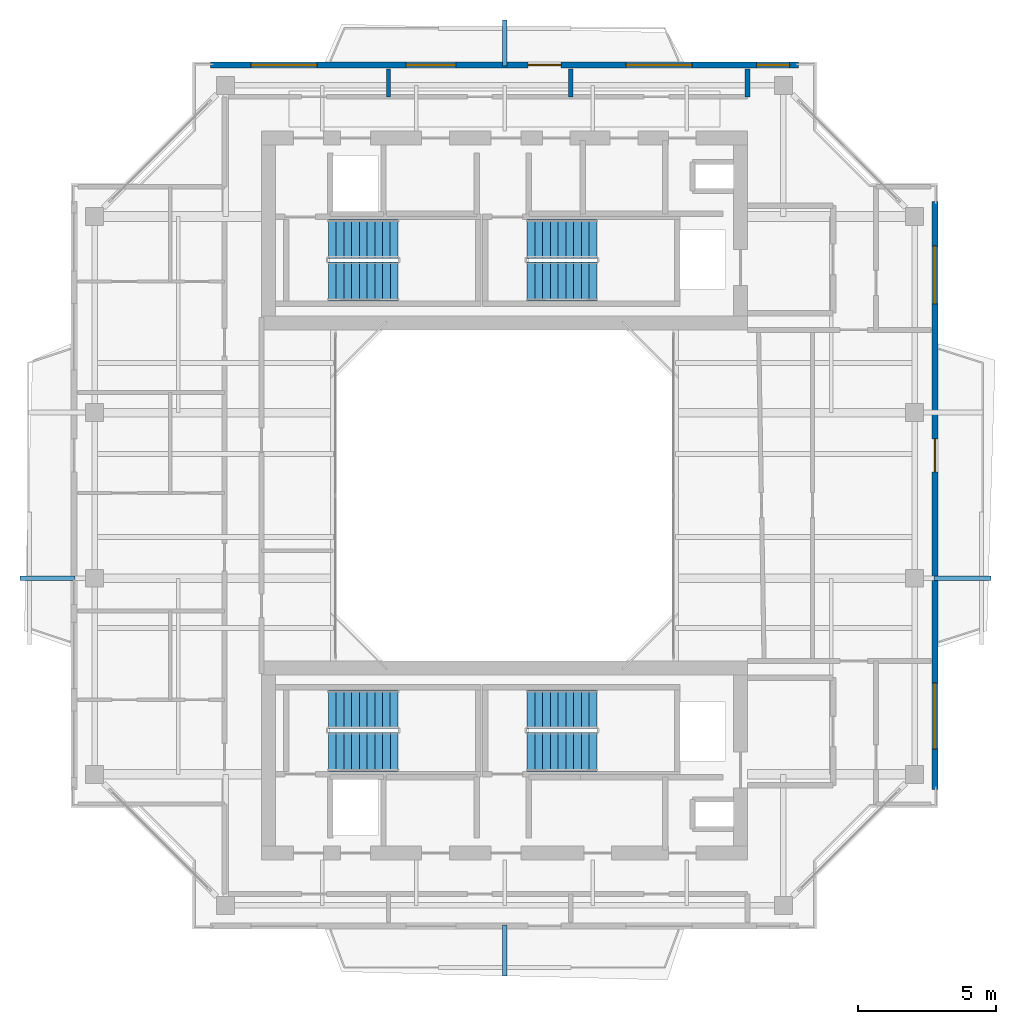
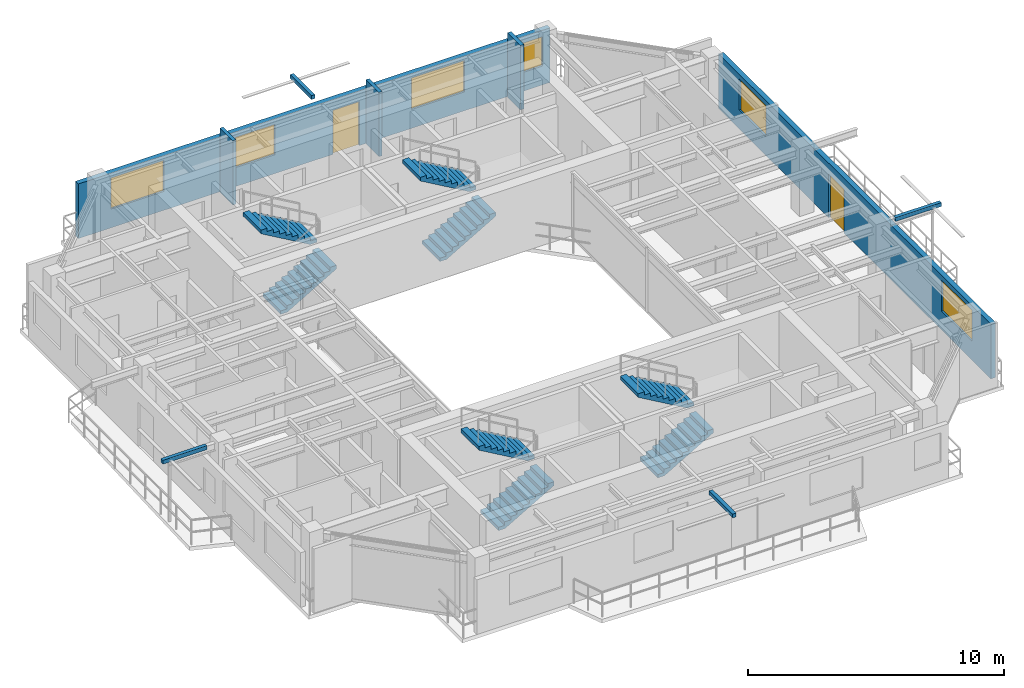
# One storey, part 12 of 15: 8 stair flights, 6 windows, 5 walls, 4 discrete accessories, 2 doors, 8 openings, 4 elements without a shape of their own.
"""IFC4 building model written with IfcOpenShell, lengths in metres."""

from ifc_helpers import new_model, si_unit, direction, frame, frame_2d, origin, origin_2d, place, context, subcontext, project, spatial, polyline, rectangle, outline, extrude, source, transform, mapped, material, layer, layer_set, type_object, element, fill, aggregate, save


model = new_model("IFC4")

# Units and contexts
model_context = context("Model", 3, precision=1e-05, world=origin(), true_north=direction((0.0, 1.0)))
body_context = subcontext(model_context, "Body", "Model", "MODEL_VIEW")
ifc_project = project(units=[si_unit("LENGTHUNIT", "METRE"), si_unit("AREAUNIT", "SQUARE_METRE"), si_unit("VOLUMEUNIT", "CUBIC_METRE"), si_unit("PLANEANGLEUNIT", "RADIAN"), si_unit("MASSUNIT", "GRAM", prefix="KILO"), si_unit("THERMODYNAMICTEMPERATUREUNIT", "KELVIN"), si_unit("POWERUNIT", "WATT")], contexts=[model_context])

# Site, building, storey
site_placement = place(None, origin())
site = spatial("IfcSite", under=ifc_project, at=site_placement, CompositionType="ELEMENT")
building_placement = place(site_placement, origin())
building = spatial("IfcBuilding", under=site, at=building_placement, Name="Qiaomeng Ring Towers", CompositionType="ELEMENT")
storey_placement = place(building_placement, frame((0.0, 0.0, 256.75)))
storey = spatial("IfcBuildingStorey", under=building, at=storey_placement, Name="L75", CompositionType="ELEMENT", Elevation=256.75)

# Wall, openings, windows, door
ifc_material_1 = material(Name="Precast concrete C40", Category="concrete")
ifc_layer_1 = layer(ifc_material_1, 0.219970703125, Name="Precast concrete C40")
ifc_layer_set_1 = layer_set([ifc_layer_1], Name="Precast concrete C40")
wall_type_1 = type_object("IfcWallType", Name="ARC-WL-EW2", PredefinedType="STANDARD", material=ifc_layer_set_1)
wall_1_placement = place(storey_placement, frame((8.35009765625, 38.590087890625, 0.0), z_axis=(0.0, 0.0, 1.0), x_axis=(1.0, 0.0, 0.0)))
wall_1 = element("IfcWall", 1, at=wall_1_placement, inside=storey, type_object=wall_type_1, Name="L75 Tower 1 N Exterior Wall", PredefinedType="STANDARD", context=body_context, shape_type="SweptSolid", body=[
    extrude(rectangle(XDim=21.2998046875, YDim=0.219970703125, at=frame_2d((10.64990234375, 0.0))), origin(), (0.0, 0.0, 1.0), 2.610107421875),
])
opening_1_placement = place(wall_1_placement, frame((11.5, 0.0, 0.0)))
opening_1 = element("IfcOpeningElement", 2, at=opening_1_placement, cuts=wall_1, Name="Opening BD1", PredefinedType="OPENING", context=body_context, shape_type="SweptSolid", body=[
    extrude(rectangle(XDim=1.199951171875, YDim=2.10009765625, at=frame_2d((0.60009765625, 1.050048828125))), frame((0.0, 0.119873046875, 0.0), z_axis=(0.0, -1.0, 0.0), x_axis=(1.0, 0.0, 0.0)), (0.0, 0.0, 1.0), 0.239990234375),
])
opening_2_placement = place(wall_1_placement, frame((1.462890625, 0.0, 0.89990234375)))
opening_2 = element("IfcOpeningElement", 3, at=opening_2_placement, cuts=wall_1, Name="Opening WN6", PredefinedType="OPENING", context=body_context, shape_type="SweptSolid", body=[
    extrude(rectangle(XDim=2.39990234375, YDim=1.47998046875, at=frame_2d((1.199951171875, 0.739990234375))), frame((0.0, 0.119873046875, 0.0), z_axis=(0.0, -1.0, 0.0), x_axis=(1.0, 0.0, 0.0)), (0.0, 0.0, 1.0), 0.239990234375),
])
opening_3_placement = place(wall_1_placement, frame((7.087890625, 0.0, 0.89990234375)))
opening_3 = element("IfcOpeningElement", 4, at=opening_3_placement, cuts=wall_1, Name="Opening WN1", PredefinedType="OPENING", context=body_context, shape_type="SweptSolid", body=[
    extrude(rectangle(XDim=1.800048828125, YDim=1.449951171875, at=frame_2d((0.89990234375, 0.72509765625))), frame((0.0, 0.119873046875, 0.0), z_axis=(0.0, -1.0, 0.0), x_axis=(1.0, 0.0, 0.0)), (0.0, 0.0, 1.0), 0.239990234375),
])
opening_4_placement = place(wall_1_placement, frame((19.77490234375, 0.0, 0.89990234375)))
opening_4 = element("IfcOpeningElement", 5, at=opening_4_placement, cuts=wall_1, Name="Opening WN3", PredefinedType="OPENING", context=body_context, shape_type="SweptSolid", body=[
    extrude(rectangle(XDim=1.199951171875, YDim=1.39990234375, at=frame_2d((0.60009765625, 0.699951171875))), frame((0.0, 0.119873046875, 0.0), z_axis=(0.0, -1.0, 0.0), x_axis=(1.0, 0.0, 0.0)), (0.0, 0.0, 1.0), 0.239990234375),
])
opening_5_placement = place(wall_1_placement, frame((15.04248046875, 0.0, 0.89990234375)))
opening_5 = element("IfcOpeningElement", 6, at=opening_5_placement, cuts=wall_1, Name="Opening WN6", PredefinedType="OPENING", context=body_context, shape_type="SweptSolid", body=[
    extrude(rectangle(XDim=2.39990234375, YDim=1.5, at=frame_2d((1.199951171875, 0.75))), frame((0.0, 0.119873046875, 0.0), z_axis=(0.0, -1.0, 0.0), x_axis=(1.0, 0.0, 0.0)), (0.0, 0.0, 1.0), 0.239990234375),
])
ifc_material_2 = material(Name="Low-E dark-grey laminated double glazing", Category="glass")
window_type_1 = type_object("IfcWindowType", Name="ARC-WN-1", PartitioningType="DOUBLE_PANEL_VERTICAL", PredefinedType="WINDOW", material=ifc_material_2)
shared_shape_1 = source(origin(), body_context, "Body", "SweptSolid", [
    extrude(rectangle(XDim=1.800048828125, YDim=1.449951171875, at=frame_2d((0.89990234375, 0.72509765625))), frame((0.0, 0.030029296875, 0.0), z_axis=(0.0, -1.0, 0.0), x_axis=(1.0, 0.0, 0.0)), (0.0, 0.0, 1.0), 0.06005859375),
])
window_1_placement = place(opening_3_placement, origin())
window_1 = element("IfcWindow", 7, at=window_1_placement, inside=storey, type_object=window_type_1, Name="L75 Exterior Window WN1", OverallHeight=1.449951171875, OverallWidth=1.800048828125, PartitioningType="DOUBLE_PANEL_VERTICAL", PredefinedType="WINDOW", context=body_context, shape_type="MappedRepresentation", body=[
    mapped(shared_shape_1, transform((0.0, 0.0, 0.0), x_axis=(1.0, 0.0, 0.0), y_axis=(0.0, 1.0, 0.0), z_axis=(0.0, 0.0, 1.0), scale=1.0)),
])
fill(opening_3, window_1)
window_type_2 = type_object("IfcWindowType", Name="ARC-WN-6", PartitioningType="TRIPLE_PANEL_VERTICAL", PredefinedType="WINDOW", material=ifc_material_2)
shared_shape_2 = source(origin(), body_context, "Body", "SweptSolid", [
    extrude(rectangle(XDim=2.39990234375, YDim=1.47998046875, at=frame_2d((1.199951171875, 0.739990234375))), frame((0.0, 0.030029296875, 0.0), z_axis=(0.0, -1.0, 0.0), x_axis=(1.0, 0.0, 0.0)), (0.0, 0.0, 1.0), 0.06005859375),
])
window_2_placement = place(opening_2_placement, origin())
window_2 = element("IfcWindow", 8, at=window_2_placement, inside=storey, type_object=window_type_2, Name="L75 Exterior Window WN6", OverallHeight=1.47998046875, OverallWidth=2.39990234375, PartitioningType="TRIPLE_PANEL_VERTICAL", PredefinedType="WINDOW", context=body_context, shape_type="MappedRepresentation", body=[
    mapped(shared_shape_2, transform((0.0, 0.0, 0.0), x_axis=(1.0, 0.0, 0.0), y_axis=(0.0, 1.0, 0.0), z_axis=(0.0, 0.0, 1.0), scale=1.0)),
])
fill(opening_2, window_2)
door_type = type_object("IfcDoorType", Name="ARC-DR-BD1", OperationType="NOTDEFINED", PredefinedType="DOOR", material=ifc_material_2)
shared_shape_3 = source(origin(), body_context, "Body", "SweptSolid", [
    extrude(rectangle(XDim=1.199951171875, YDim=2.10009765625, at=frame_2d((0.60009765625, 1.050048828125))), frame((0.0, 0.02490234375, 0.0), z_axis=(0.0, -1.0, 0.0), x_axis=(1.0, 0.0, 0.0)), (0.0, 0.0, 1.0), 0.050048828125),
])
door_1_placement = place(opening_1_placement, origin())
door_1 = element("IfcDoor", 9, at=door_1_placement, inside=storey, type_object=door_type, Name="L75 N Balcony Glazed Door", OperationType="SINGLE_SWING_LEFT", OverallHeight=2.10009765625, OverallWidth=1.199951171875, PredefinedType="DOOR", context=body_context, shape_type="MappedRepresentation", body=[
    mapped(shared_shape_3, transform((0.0, 0.0, 0.0), x_axis=(1.0, 0.0, 0.0), y_axis=(0.0, 1.0, 0.0), z_axis=(0.0, 0.0, 1.0), scale=1.0)),
])
fill(opening_1, door_1)
shared_shape_4 = source(origin(), body_context, "Body", "SweptSolid", [
    extrude(rectangle(XDim=2.39990234375, YDim=1.5, at=frame_2d((1.199951171875, 0.75))), frame((0.0, 0.030029296875, 0.0), z_axis=(0.0, -1.0, 0.0), x_axis=(1.0, 0.0, 0.0)), (0.0, 0.0, 1.0), 0.06005859375),
])
window_3_placement = place(opening_5_placement, origin())
window_3 = element("IfcWindow", 10, at=window_3_placement, inside=storey, type_object=window_type_2, Name="L75 Exterior Window WN6", OverallHeight=1.5, OverallWidth=2.39990234375, PartitioningType="TRIPLE_PANEL_VERTICAL", PredefinedType="WINDOW", context=body_context, shape_type="MappedRepresentation", body=[
    mapped(shared_shape_4, transform((0.0, 0.0, 0.0), x_axis=(1.0, 0.0, 0.0), y_axis=(0.0, 1.0, 0.0), z_axis=(0.0, 0.0, 1.0), scale=1.0)),
])
fill(opening_5, window_3)
window_type_3 = type_object("IfcWindowType", Name="ARC-WN-3", PartitioningType="SINGLE_PANEL", PredefinedType="WINDOW", material=ifc_material_2)
shared_shape_5 = source(origin(), body_context, "Body", "SweptSolid", [
    extrude(rectangle(XDim=1.199951171875, YDim=1.39990234375, at=frame_2d((0.60009765625, 0.699951171875))), frame((0.0, 0.030029296875, 0.0), z_axis=(0.0, -1.0, 0.0), x_axis=(1.0, 0.0, 0.0)), (0.0, 0.0, 1.0), 0.06005859375),
])
window_4_placement = place(opening_4_placement, origin())
window_4 = element("IfcWindow", 11, at=window_4_placement, inside=storey, type_object=window_type_3, Name="L75 Exterior Window WN4", OverallHeight=1.39990234375, OverallWidth=1.199951171875, PartitioningType="TRIPLE_PANEL_VERTICAL", PredefinedType="WINDOW", context=body_context, shape_type="MappedRepresentation", body=[
    mapped(shared_shape_5, transform((0.0, 0.0, 0.0), x_axis=(1.0, 0.0, 0.0), y_axis=(0.0, 1.0, 0.0), z_axis=(0.0, 0.0, 1.0), scale=1.0)),
])
fill(opening_4, window_4)

wall_2_placement = place(storey_placement, frame((34.590087890625, 12.35009765625, 0.0), z_axis=(0.0, 0.0, 1.0), x_axis=(0.0, 1.0, 0.0)))
wall_2 = element("IfcWall", 12, at=wall_2_placement, inside=storey, type_object=wall_type_1, Name="L75 Tower 1 E Exterior Wall", PredefinedType="STANDARD", context=body_context, shape_type="SweptSolid", body=[
    extrude(rectangle(XDim=21.2998046875, YDim=0.219970703125, at=frame_2d((10.64990234375, 0.0))), origin(), (0.0, 0.0, 1.0), 2.610107421875),
])
opening_6_placement = place(wall_2_placement, frame((11.5, 0.0, 0.0)))
opening_6 = element("IfcOpeningElement", 13, at=opening_6_placement, cuts=wall_2, Name="Opening BD1", PredefinedType="OPENING", context=body_context, shape_type="SweptSolid", body=[
    extrude(rectangle(XDim=1.199951171875, YDim=2.10009765625, at=frame_2d((0.60009765625, 1.050048828125))), frame((0.0, 0.119873046875, 0.0), z_axis=(0.0, -1.0, 0.0), x_axis=(1.0, 0.0, 0.0)), (0.0, 0.0, 1.0), 0.239990234375),
])
opening_7_placement = place(wall_2_placement, frame((1.462890625, 0.0, 0.89990234375)))
opening_7 = element("IfcOpeningElement", 14, at=opening_7_placement, cuts=wall_2, Name="Opening WN6", PredefinedType="OPENING", context=body_context, shape_type="SweptSolid", body=[
    extrude(rectangle(XDim=2.39990234375, YDim=1.47998046875, at=frame_2d((1.199951171875, 0.739990234375))), frame((0.0, 0.119873046875, 0.0), z_axis=(0.0, -1.0, 0.0), x_axis=(1.0, 0.0, 0.0)), (0.0, 0.0, 1.0), 0.239990234375),
])
opening_8_placement = place(wall_2_placement, frame((17.587890625, 0.0, 0.89990234375)))
opening_8 = element("IfcOpeningElement", 15, at=opening_8_placement, cuts=wall_2, Name="Opening WN4", PredefinedType="OPENING", context=body_context, shape_type="SweptSolid", body=[
    extrude(rectangle(XDim=2.10009765625, YDim=1.47998046875, at=frame_2d((1.050048828125, 0.739990234375))), frame((0.0, 0.119873046875, 0.0), z_axis=(0.0, -1.0, 0.0), x_axis=(1.0, 0.0, 0.0)), (0.0, 0.0, 1.0), 0.239990234375),
])
window_type_4 = type_object("IfcWindowType", Name="ARC-WN-4", PartitioningType="TRIPLE_PANEL_VERTICAL", PredefinedType="WINDOW", material=ifc_material_2)
shared_shape_6 = source(origin(), body_context, "Body", "SweptSolid", [
    extrude(rectangle(XDim=2.10009765625, YDim=1.47998046875, at=frame_2d((1.050048828125, 0.739990234375))), frame((0.0, 0.030029296875, 0.0), z_axis=(0.0, -1.0, 0.0), x_axis=(1.0, 0.0, 0.0)), (0.0, 0.0, 1.0), 0.06005859375),
])
window_5_placement = place(opening_8_placement, origin())
window_5 = element("IfcWindow", 16, at=window_5_placement, inside=storey, type_object=window_type_4, Name="L75 Exterior Window WN4", OverallHeight=1.47998046875, OverallWidth=2.10009765625, PartitioningType="TRIPLE_PANEL_VERTICAL", PredefinedType="WINDOW", context=body_context, shape_type="MappedRepresentation", body=[
    mapped(shared_shape_6, transform((0.0, 0.0, 0.0), x_axis=(1.0, 0.0, 0.0), y_axis=(0.0, 1.0, 0.0), z_axis=(0.0, 0.0, 1.0), scale=1.0)),
])
fill(opening_8, window_5)
window_6_placement = place(opening_7_placement, origin())
window_6 = element("IfcWindow", 17, at=window_6_placement, inside=storey, type_object=window_type_2, Name="L75 Exterior Window WN6", OverallHeight=1.47998046875, OverallWidth=2.39990234375, PartitioningType="TRIPLE_PANEL_VERTICAL", PredefinedType="WINDOW", context=body_context, shape_type="MappedRepresentation", body=[
    mapped(shared_shape_2, transform((0.0, 0.0, 0.0), x_axis=(1.0, 0.0, 0.0), y_axis=(0.0, 1.0, 0.0), z_axis=(0.0, 0.0, 1.0), scale=1.0)),
])
fill(opening_7, window_6)
door_2_placement = place(opening_6_placement, origin())
door_2 = element("IfcDoor", 18, at=door_2_placement, inside=storey, type_object=door_type, Name="L75 E Balcony Glazed Door", OperationType="SINGLE_SWING_LEFT", OverallHeight=2.10009765625, OverallWidth=1.199951171875, PredefinedType="DOOR", context=body_context, shape_type="MappedRepresentation", body=[
    mapped(shared_shape_3, transform((0.0, 0.0, 0.0), x_axis=(1.0, 0.0, 0.0), y_axis=(0.0, 1.0, 0.0), z_axis=(0.0, 0.0, 1.0), scale=1.0)),
])
fill(opening_6, door_2)

# Walls
ifc_material_3 = material(Name="Autoclaved aerated concrete block", Category="concrete")
ifc_layer_2 = layer(ifc_material_3, 0.179931640625, Name="Autoclaved aerated concrete block")
ifc_layer_set_2 = layer_set([ifc_layer_2], Name="Autoclaved aerated concrete block")
wall_type_2 = type_object("IfcWallType", Name="ARC-WL-PW2", PredefinedType="PARTITIONING", material=ifc_layer_set_2)
wall_3_placement = place(storey_placement, frame((27.800048828125, 37.43994140625, 0.0), z_axis=(0.0, 0.0, 1.0), x_axis=(0.0, 1.0, 0.0)))
element("IfcWall", 19, at=wall_3_placement, inside=storey, type_object=wall_type_2, Name="L75 Interior Wall PW2", PredefinedType="PARTITIONING", context=body_context, shape_type="SweptSolid", body=[
    extrude(rectangle(XDim=1.010009765625, YDim=0.179931640625, at=frame_2d((0.5048828125, 0.0))), origin(), (0.0, 0.0, 1.0), 3.070068359375),
])
ifc_material_4 = material(Name="Gypsum fireboard steel-stud partition", Category="steel")
ifc_layer_3 = layer(ifc_material_4, 0.14990234375, Name="Gypsum fireboard steel-stud partition")
ifc_layer_set_3 = layer_set([ifc_layer_3], Name="Gypsum fireboard steel-stud partition")
wall_type_3 = type_object("IfcWallType", Name="ARC-WL-PW3", PredefinedType="PARTITIONING", material=ifc_layer_set_3)
for number, where, z_axis, x_axis, name in (
    (20, (14.800048828125, 37.43994140625, 0.0), (0.0, 0.0, 1.0), (0.0, 1.0, 0.0), "L75 Interior Wall PW3"),
    (21, (21.39990234375, 37.43994140625, 0.0), (0.0, 0.0, 1.0), (0.0, 1.0, 0.0), "L75 Interior Wall PW3"),
):
    element("IfcWall", number, at=place(storey_placement, frame(where, z_axis=z_axis, x_axis=x_axis)), inside=storey, type_object=wall_type_3, Name=name, PredefinedType="PARTITIONING", context=body_context, shape_type="SweptSolid", body=[
        extrude(rectangle(XDim=1.010009765625, YDim=0.14990234375, at=frame_2d((0.5048828125, 0.0))), origin(), (0.0, 0.0, 1.0), 3.070068359375),
    ])

# Stair, stair flights
stair_type = type_object("IfcStairType", Name="ARC-ST-325", PredefinedType="HALF_TURN_STAIR", material=ifc_material_1)
stair_1_placement = place(storey_placement, origin())
stair_1 = element("IfcStair", 22, at=stair_1_placement, inside=storey, type_object=stair_type, Name="L75 Tower 1 North Stair 1", PredefinedType="HALF_TURN_STAIR")
stair_flight_type = type_object("IfcStairFlightType", Name="ARC-ST-325-FL", PredefinedType="STRAIGHT", material=ifc_material_1)
shared_shape_7 = source(origin(), body_context, "Body", "SweptSolid", [
    extrude(outline(polyline([(0.0, 0.0), (0.0, 0.16259765625), (0.280029296875, 0.16259765625), (0.280029296875, 0.324951171875), (0.56005859375, 0.324951171875), (0.56005859375, 0.487548828125), (0.840087890625, 0.487548828125), (0.840087890625, 0.64990234375), (1.1201171875, 0.64990234375), (1.1201171875, 0.8125), (1.39990234375, 0.8125), (1.39990234375, 0.97509765625), (1.679931640625, 0.97509765625), (1.679931640625, 1.137451171875), (1.9599609375, 1.137451171875), (1.9599609375, 1.300048828125), (2.239990234375, 1.300048828125), (2.239990234375, 1.46240234375), (2.52001953125, 1.46240234375), (2.52001953125, 1.625), (2.52001953125, 1.2890625), (0.298583984375, 0.0), (0.0, 0.0)])), frame((0.0, 0.699951171875, 0.0), z_axis=(0.0, -1.0, 0.0), x_axis=(1.0, 0.0, 0.0)), (0.0, 0.0, 1.0), 1.39990234375),
])
stair_flight_1_placement = place(storey_placement, frame((12.6201171875, 30.75, 0.0), z_axis=(0.0, 0.0, 1.0), x_axis=(1.0, 0.0, 0.0)))
stair_flight_1 = element("IfcStairFlight", 23, at=stair_flight_1_placement, type_object=stair_flight_type, Name="ST1 flight 1", NumberOfRisers=10, NumberOfTreads=9, PredefinedType="STRAIGHT", RiserHeight=0.1625, TreadLength=0.28, context=body_context, shape_type="MappedRepresentation", body=[
    mapped(shared_shape_7, transform((0.0, 0.0, 0.0), x_axis=(1.0, 0.0, 0.0), y_axis=(0.0, 1.0, 0.0), z_axis=(0.0, 0.0, 1.0), scale=1.0)),
])
stair_flight_2_placement = place(storey_placement, frame((15.139892578125, 32.2900390625, 1.625), z_axis=(0.0, 0.0, 1.0), x_axis=(-1.0, 0.0, 0.0)))
stair_flight_2 = element("IfcStairFlight", 24, at=stair_flight_2_placement, type_object=stair_flight_type, Name="ST1 flight 2", NumberOfRisers=10, NumberOfTreads=9, PredefinedType="STRAIGHT", RiserHeight=0.1625, TreadLength=0.28, context=body_context, shape_type="MappedRepresentation", body=[
    mapped(shared_shape_7, transform((0.0, 0.0, 0.0), x_axis=(1.0, 0.0, 0.0), y_axis=(0.0, 1.0, 0.0), z_axis=(0.0, 0.0, 1.0), scale=1.0)),
])
aggregate(stair_1, [stair_flight_1, stair_flight_2])

stair_2_placement = place(storey_placement, origin())
stair_2 = element("IfcStair", 25, at=stair_2_placement, inside=storey, type_object=stair_type, Name="L75 Tower 1 North Stair 2", PredefinedType="HALF_TURN_STAIR")
stair_flight_3_placement = place(storey_placement, frame((19.820068359375, 30.75, 0.0), z_axis=(0.0, 0.0, 1.0), x_axis=(1.0, 0.0, 0.0)))
stair_flight_3 = element("IfcStairFlight", 26, at=stair_flight_3_placement, type_object=stair_flight_type, Name="ST2 flight 1", NumberOfRisers=10, NumberOfTreads=9, PredefinedType="STRAIGHT", RiserHeight=0.1625, TreadLength=0.28, context=body_context, shape_type="MappedRepresentation", body=[
    mapped(shared_shape_7, transform((0.0, 0.0, 0.0), x_axis=(1.0, 0.0, 0.0), y_axis=(0.0, 1.0, 0.0), z_axis=(0.0, 0.0, 1.0), scale=1.0)),
])
stair_flight_4_placement = place(storey_placement, frame((22.340087890625, 32.2900390625, 1.625), z_axis=(0.0, 0.0, 1.0), x_axis=(-1.0, 0.0, 0.0)))
stair_flight_4 = element("IfcStairFlight", 27, at=stair_flight_4_placement, type_object=stair_flight_type, Name="ST2 flight 2", NumberOfRisers=10, NumberOfTreads=9, PredefinedType="STRAIGHT", RiserHeight=0.1625, TreadLength=0.28, context=body_context, shape_type="MappedRepresentation", body=[
    mapped(shared_shape_7, transform((0.0, 0.0, 0.0), x_axis=(1.0, 0.0, 0.0), y_axis=(0.0, 1.0, 0.0), z_axis=(0.0, 0.0, 1.0), scale=1.0)),
])
aggregate(stair_2, [stair_flight_3, stair_flight_4])

stair_3_placement = place(storey_placement, origin())
stair_3 = element("IfcStair", 28, at=stair_3_placement, inside=storey, type_object=stair_type, Name="L75 Tower 1 South Stair 3", PredefinedType="HALF_TURN_STAIR")
stair_flight_5_placement = place(storey_placement, frame((12.6201171875, 13.7099609375, 0.0), z_axis=(0.0, 0.0, 1.0), x_axis=(1.0, 0.0, 0.0)))
stair_flight_5 = element("IfcStairFlight", 29, at=stair_flight_5_placement, type_object=stair_flight_type, Name="ST3 flight 1", NumberOfRisers=10, NumberOfTreads=9, PredefinedType="STRAIGHT", RiserHeight=0.1625, TreadLength=0.28, context=body_context, shape_type="MappedRepresentation", body=[
    mapped(shared_shape_7, transform((0.0, 0.0, 0.0), x_axis=(1.0, 0.0, 0.0), y_axis=(0.0, 1.0, 0.0), z_axis=(0.0, 0.0, 1.0), scale=1.0)),
])
stair_flight_6_placement = place(storey_placement, frame((15.139892578125, 15.25, 1.625), z_axis=(0.0, 0.0, 1.0), x_axis=(-1.0, 0.0, 0.0)))
stair_flight_6 = element("IfcStairFlight", 30, at=stair_flight_6_placement, type_object=stair_flight_type, Name="ST3 flight 2", NumberOfRisers=10, NumberOfTreads=9, PredefinedType="STRAIGHT", RiserHeight=0.1625, TreadLength=0.28, context=body_context, shape_type="MappedRepresentation", body=[
    mapped(shared_shape_7, transform((0.0, 0.0, 0.0), x_axis=(1.0, 0.0, 0.0), y_axis=(0.0, 1.0, 0.0), z_axis=(0.0, 0.0, 1.0), scale=1.0)),
])
aggregate(stair_3, [stair_flight_5, stair_flight_6])

stair_4_placement = place(storey_placement, origin())
stair_4 = element("IfcStair", 31, at=stair_4_placement, inside=storey, type_object=stair_type, Name="L75 Tower 1 South Stair 4", PredefinedType="HALF_TURN_STAIR")
stair_flight_7_placement = place(storey_placement, frame((19.820068359375, 13.7099609375, 0.0), z_axis=(0.0, 0.0, 1.0), x_axis=(1.0, 0.0, 0.0)))
stair_flight_7 = element("IfcStairFlight", 32, at=stair_flight_7_placement, type_object=stair_flight_type, Name="ST4 flight 1", NumberOfRisers=10, NumberOfTreads=9, PredefinedType="STRAIGHT", RiserHeight=0.1625, TreadLength=0.28, context=body_context, shape_type="MappedRepresentation", body=[
    mapped(shared_shape_7, transform((0.0, 0.0, 0.0), x_axis=(1.0, 0.0, 0.0), y_axis=(0.0, 1.0, 0.0), z_axis=(0.0, 0.0, 1.0), scale=1.0)),
])
stair_flight_8_placement = place(storey_placement, frame((22.340087890625, 15.25, 1.625), z_axis=(0.0, 0.0, 1.0), x_axis=(-1.0, 0.0, 0.0)))
stair_flight_8 = element("IfcStairFlight", 33, at=stair_flight_8_placement, type_object=stair_flight_type, Name="ST4 flight 2", NumberOfRisers=10, NumberOfTreads=9, PredefinedType="STRAIGHT", RiserHeight=0.1625, TreadLength=0.28, context=body_context, shape_type="MappedRepresentation", body=[
    mapped(shared_shape_7, transform((0.0, 0.0, 0.0), x_axis=(1.0, 0.0, 0.0), y_axis=(0.0, 1.0, 0.0), z_axis=(0.0, 0.0, 1.0), scale=1.0)),
])
aggregate(stair_4, [stair_flight_7, stair_flight_8])

# Discrete accessories
ifc_material_5 = material(Name="Stainless steel 316", Category="steel")
discrete_accessory_type = type_object("IfcDiscreteAccessoryType", Name="ARC-ACC-BRACKET", PredefinedType="BRACKET", material=ifc_material_5)
shared_shape_8 = source(origin(), body_context, "Body", "SweptSolid", [
    extrude(rectangle(XDim=0.159912109375, YDim=1.85009765625, at=origin_2d()), origin(), (0.0, 0.0, 1.0), 0.179931640625),
])
discrete_accessory_1_placement = place(storey_placement, frame((19.0, 6.52490234375, 2.89990234375), z_axis=(0.0, 0.0, 1.0), x_axis=(1.0, 0.0, 0.0)))
element("IfcDiscreteAccessory", 34, at=discrete_accessory_1_placement, inside=storey, type_object=discrete_accessory_type, Name="L75 Stainless Outer-Skin Tie Bracket S", PredefinedType="BRACKET", context=body_context, shape_type="MappedRepresentation", body=[
    mapped(shared_shape_8, transform((0.0, 0.0, 0.0), x_axis=(1.0, 0.0, 0.0), y_axis=(0.0, 1.0, 0.0), z_axis=(0.0, 0.0, 1.0), scale=1.0)),
])
shared_shape_9 = source(origin(), body_context, "Body", "SweptSolid", [
    extrude(rectangle(XDim=0.159912109375, YDim=1.669921875, at=origin_2d()), origin(), (0.0, 0.0, 1.0), 0.179931640625),
])
discrete_accessory_2_placement = place(storey_placement, frame((19.0, 39.385009765625, 2.89990234375), z_axis=(0.0, 0.0, 1.0), x_axis=(1.0, 0.0, 0.0)))
element("IfcDiscreteAccessory", 35, at=discrete_accessory_2_placement, inside=storey, type_object=discrete_accessory_type, Name="L75 Stainless Outer-Skin Tie Bracket N", PredefinedType="BRACKET", context=body_context, shape_type="MappedRepresentation", body=[
    mapped(shared_shape_9, transform((0.0, 0.0, 0.0), x_axis=(1.0, 0.0, 0.0), y_axis=(0.0, 1.0, 0.0), z_axis=(0.0, 0.0, 1.0), scale=1.0)),
])
shared_shape_10 = source(origin(), body_context, "Body", "SweptSolid", [
    extrude(rectangle(XDim=2.0, YDim=0.159912109375, at=origin_2d()), origin(), (0.0, 0.0, 1.0), 0.179931640625),
])
discrete_accessory_3_placement = place(storey_placement, frame((2.449951171875, 20.0, 2.89990234375), z_axis=(0.0, 0.0, 1.0), x_axis=(1.0, 0.0, 0.0)))
element("IfcDiscreteAccessory", 36, at=discrete_accessory_3_placement, inside=storey, type_object=discrete_accessory_type, Name="L75 Stainless Outer-Skin Tie Bracket W", PredefinedType="BRACKET", context=body_context, shape_type="MappedRepresentation", body=[
    mapped(shared_shape_10, transform((0.0, 0.0, 0.0), x_axis=(1.0, 0.0, 0.0), y_axis=(0.0, 1.0, 0.0), z_axis=(0.0, 0.0, 1.0), scale=1.0)),
])
shared_shape_11 = source(origin(), body_context, "Body", "SweptSolid", [
    extrude(rectangle(XDim=2.070068359375, YDim=0.159912109375, at=origin_2d()), origin(), (0.0, 0.0, 1.0), 0.179931640625),
])
discrete_accessory_4_placement = place(storey_placement, frame((35.5849609375, 20.0, 2.89990234375), z_axis=(0.0, 0.0, 1.0), x_axis=(1.0, 0.0, 0.0)))
element("IfcDiscreteAccessory", 37, at=discrete_accessory_4_placement, inside=storey, type_object=discrete_accessory_type, Name="L75 Stainless Outer-Skin Tie Bracket E", PredefinedType="BRACKET", context=body_context, shape_type="MappedRepresentation", body=[
    mapped(shared_shape_11, transform((0.0, 0.0, 0.0), x_axis=(1.0, 0.0, 0.0), y_axis=(0.0, 1.0, 0.0), z_axis=(0.0, 0.0, 1.0), scale=1.0)),
])

save(model, "model.ifc")
